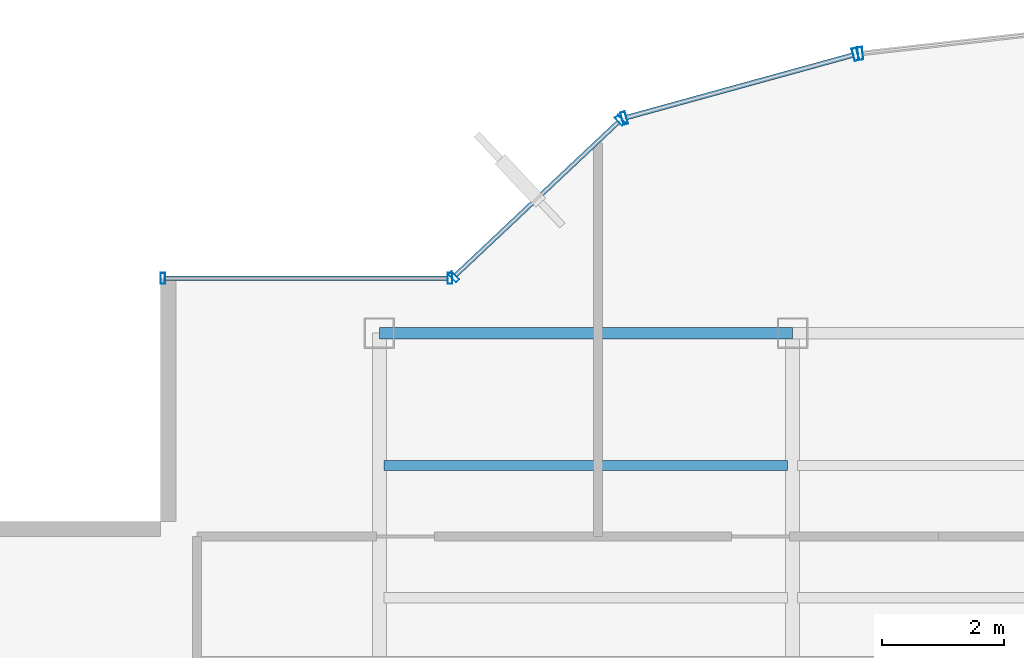
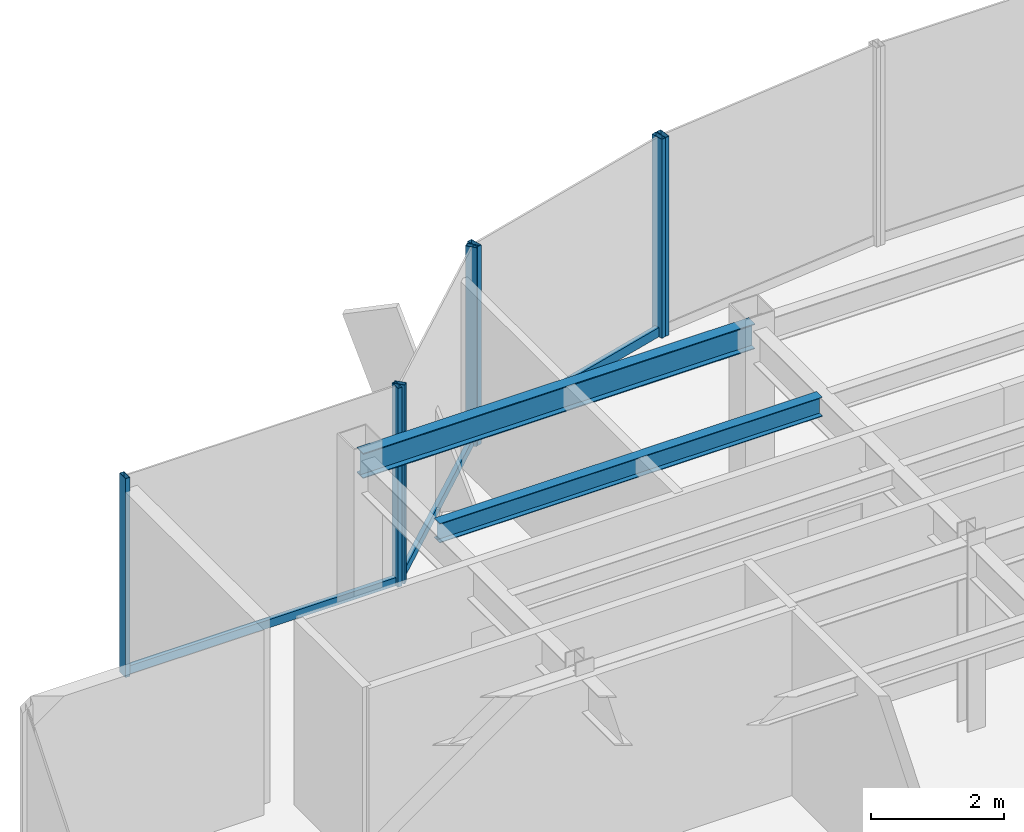
# One storey, part 12 of 22: 10 members, 2 beams, 4 elements without a shape of their own.
"""IFC4 building model written with IfcOpenShell, lengths in metres."""

import ifcopenshell
import ifcopenshell.guid

model = None  # the IFC model being written
_history = None  # IfcOwnerHistory: only IFC2X3 demands one
_inside = {}  # id of a spatial element -> (the spatial element, [elements in it])
_under = {}  # id of a project, library or spatial element -> (it, [spatial elements below it])
_declared = {}  # id of a project -> (the project, [libraries it declares])
_typed = {}  # id of a type object -> (the type object, [elements of that type])
_made_of = {}  # id of a material, layer set ... -> (it, [elements and type objects made of it])


def new_model(schema):
    """Start an empty IFC model of exactly this schema.

    Asked for "IFC4X3", IfcOpenShell would pick the latest addendum, in which some entities
    have other attributes; the version numbers below select the first issue.
    IFC2X3 requires an IfcOwnerHistory on every rooted entity: one is made here for all.
    """
    global model, _history
    if schema == "IFC4X3":
        model = ifcopenshell.file(schema_version=(4, 3, 0, 0))
    else:
        model = ifcopenshell.file(schema=schema)
    _inside.clear()
    _under.clear()
    _declared.clear()
    _typed.clear()
    _made_of.clear()
    _history = None
    if model.schema == "IFC2X3":
        org = make("IfcOrganization", Name="unknown")
        user = make(
            "IfcPersonAndOrganization",
            ThePerson=make("IfcPerson", FamilyName="unknown"),
            TheOrganization=org,
        )
        app = make(
            "IfcApplication",
            ApplicationDeveloper=org,
            Version="unknown",
            ApplicationFullName="unknown",
            ApplicationIdentifier="unknown",
        )
        _history = make(
            "IfcOwnerHistory",
            OwningUser=user,
            OwningApplication=app,
            ChangeAction="ADDED",
            CreationDate=0,
        )
    return model


def make(cls, **values):
    """One entity of the class cls with the attributes given. An attribute that is None is left unset."""
    return model.create_entity(
        cls, **{name: value for name, value in values.items() if value is not None}
    )


def rooted(cls, **values):
    """An entity with a GlobalId (a new one), such as an element, a storey or a relation."""
    return make(cls, GlobalId=ifcopenshell.guid.new(), OwnerHistory=_history, **values)


def si_unit(unit_type, name, prefix=None):
    """IfcSIUnit, for example si_unit("LENGTHUNIT", "METRE", prefix="MILLI")."""
    return make("IfcSIUnit", UnitType=unit_type, Prefix=prefix, Name=name)


def derived_unit(unit_type, elements):
    """IfcDerivedUnit: a product of units, each with its exponent."""
    return make(
        "IfcDerivedUnit",
        Elements=[
            make("IfcDerivedUnitElement", Unit=unit, Exponent=power)
            for unit, power in elements
        ],
        UnitType=unit_type,
    )


def assignment(units):
    """IfcUnitAssignment: the units of a project."""
    return None if units is None else make("IfcUnitAssignment", Units=units)


def point(xyz):
    """IfcCartesianPoint."""
    return None if xyz is None else make("IfcCartesianPoint", Coordinates=xyz)


def direction(xyz):
    """IfcDirection."""
    return None if xyz is None else make("IfcDirection", DirectionRatios=xyz)


def frame(location, z_axis=None, x_axis=None):
    """IfcAxis2Placement3D, a coordinate frame: its origin and axes. An axis left out is left unset."""
    return make(
        "IfcAxis2Placement3D",
        Location=point(location),
        Axis=direction(z_axis),
        RefDirection=direction(x_axis),
    )


def frame_2d(location, x_axis=None):
    """IfcAxis2Placement2D, a coordinate frame in the plane: its origin and x axis."""
    return make(
        "IfcAxis2Placement2D", Location=point(location), RefDirection=direction(x_axis)
    )


def origin():
    """The frame at (0, 0, 0) with its axes left unset."""
    return frame((0.0, 0.0, 0.0))


def origin_2d():
    """The frame at (0, 0) in the plane with its x axis left unset."""
    return frame_2d((0.0, 0.0))


def place(relative_to, where):
    """IfcLocalPlacement: puts the frame where relative to a parent placement (None: the world)."""
    return make(
        "IfcLocalPlacement", PlacementRelTo=relative_to, RelativePlacement=where
    )


def context(
    kind, dimensions, precision=None, world=None, true_north=None, identifier=None
):
    """IfcGeometricRepresentationContext, for example the 3D "Model" context."""
    return make(
        "IfcGeometricRepresentationContext",
        ContextIdentifier=identifier,
        ContextType=kind,
        CoordinateSpaceDimension=dimensions,
        Precision=precision,
        WorldCoordinateSystem=world,
        TrueNorth=true_north,
    )


def subcontext(parent, identifier, kind, view, scale=None):
    """IfcGeometricRepresentationSubContext, for example "Body" below "Model"."""
    return make(
        "IfcGeometricRepresentationSubContext",
        ContextIdentifier=identifier,
        ContextType=kind,
        ParentContext=parent,
        TargetScale=scale,
        TargetView=view,
    )


def project(units=None, contexts=None):
    """IfcProject with its units and contexts."""
    return rooted(
        "IfcProject",
        Name="project",
        RepresentationContexts=contexts,
        UnitsInContext=assignment(units),
    )


def spatial(cls, under=None, at=None, **own):
    """A site, building, storey or space (cls), placed at a placement, below another one or the project."""
    s = rooted(cls, ObjectPlacement=at, **own)
    if under is not None:
        _under.setdefault(under.id(), (under, []))[1].append(s)
    return s


def profile(cls, at=None, kind="AREA", **sizes):
    """A parametric profile (cls). Its sizes go by their IFC names, for example OverallWidth=200.0."""
    return make(cls, ProfileType=kind, Position=at, **sizes)


def hollow_rectangle(**sizes):
    """IfcRectangleHollowProfileDef."""
    return profile("IfcRectangleHollowProfileDef", **sizes)


def i_section(**sizes):
    """IfcIShapeProfileDef."""
    return profile("IfcIShapeProfileDef", **sizes)


def extrude(swept, where, along, depth):
    """IfcExtrudedAreaSolid: the profile swept, set in the frame where, extruded along a direction by depth."""
    return make(
        "IfcExtrudedAreaSolid",
        SweptArea=swept,
        Position=where,
        ExtrudedDirection=direction(along),
        Depth=depth,
    )


def shape(context_of_items, identifier, shape_type, items):
    """IfcShapeRepresentation: the items that make up one representation, for example the "Body"."""
    return make(
        "IfcShapeRepresentation",
        ContextOfItems=context_of_items,
        RepresentationIdentifier=identifier,
        RepresentationType=shape_type,
        Items=items,
    )


def source(mapping_origin, context_of_items, identifier, shape_type, items):
    """IfcRepresentationMap: a shape defined once, which mapped items show again and again."""
    return make(
        "IfcRepresentationMap",
        MappingOrigin=mapping_origin,
        MappedRepresentation=shape(context_of_items, identifier, shape_type, items),
    )


def transform(
    local_origin,
    x_axis=None,
    y_axis=None,
    z_axis=None,
    scale=None,
    scale2=None,
    scale3=None,
    uniform=True,
):
    """IfcCartesianTransformationOperator3D, or its non-uniform kind. x_axis, y_axis, z_axis: its Axis1, 2, 3."""
    if uniform:
        return make(
            "IfcCartesianTransformationOperator3D",
            Axis1=direction(x_axis),
            Axis2=direction(y_axis),
            LocalOrigin=point(local_origin),
            Scale=scale,
            Axis3=direction(z_axis),
        )
    return make(
        "IfcCartesianTransformationOperator3DnonUniform",
        Axis1=direction(x_axis),
        Axis2=direction(y_axis),
        LocalOrigin=point(local_origin),
        Scale=scale,
        Axis3=direction(z_axis),
        Scale2=scale2,
        Scale3=scale3,
    )


def mapped(mapping_source, mapping_target):
    """IfcMappedItem: shows the shape of a source again, moved by a transform."""
    return make(
        "IfcMappedItem", MappingSource=mapping_source, MappingTarget=mapping_target
    )


def material(Name=None, Category=None):
    """IfcMaterial."""
    return make("IfcMaterial", Name=Name, Category=Category)


def material_profile(
    of_material, cross_section, Name=None, Category=None, Priority=None
):
    """IfcMaterialProfile: a cross section and its material."""
    return make(
        "IfcMaterialProfile",
        Name=Name,
        Material=of_material,
        Profile=cross_section,
        Priority=Priority,
        Category=Category,
    )


def profile_set(profiles, Name=None, composite=None):
    """IfcMaterialProfileSet."""
    return make(
        "IfcMaterialProfileSet",
        Name=Name,
        MaterialProfiles=profiles,
        CompositeProfile=composite,
    )


def made_of(thing, what):
    """Note that an element or type object is made of a material, layer set ...; save() writes the relation."""
    if what is not None:
        _made_of.setdefault(what.id(), (what, []))[1].append(thing)
    return thing


def type_object(cls, material=None, **own):
    """A type object (cls), such as IfcWallType, which elements share."""
    return made_of(rooted(cls, **own), material)


def element(
    cls,
    number,
    at=None,
    inside=None,
    cuts=None,
    type_object=None,
    material=None,
    context=None,
    identifier="Body",
    shape_type=None,
    held_by="IfcProductDefinitionShape",
    body=None,
    shapes=None,
    **own,
):
    """One element of the class cls, such as IfcWall. Its Tag is "e" and its number.

    at: its placement. inside: the storey or other place that contains it. cuts: it is an
    opening in that element (IfcRelVoidsElement). A single representation is given by context,
    identifier, shape_type and body (its items); several are given by shapes. held_by: the class
    of the entity that holds the representations. save() writes the other relations.
    """
    e = rooted(cls, Tag="e%d" % number, ObjectPlacement=at, **own)
    if body is not None:
        shapes = [shape(context, identifier, shape_type, body)]
    if shapes is not None:
        e.Representation = make(held_by, Representations=shapes)
    if inside is not None:
        _inside.setdefault(inside.id(), (inside, []))[1].append(e)
    if cuts is not None:
        rooted(
            "IfcRelVoidsElement", RelatingBuildingElement=cuts, RelatedOpeningElement=e
        )
    if type_object is not None:
        _typed.setdefault(type_object.id(), (type_object, []))[1].append(e)
    return made_of(e, material)


def aggregate(whole, parts):
    """IfcRelAggregates: a whole, such as a stair, and the parts it consists of."""
    return rooted("IfcRelAggregates", RelatingObject=whole, RelatedObjects=parts)


def save(model, path):
    """Write the relations noted so far, then the file.

    IfcRelAggregates (storeys below a building ...), IfcRelContainedInSpatialStructure (elements
    in a storey), IfcRelDefinesByType, IfcRelAssociatesMaterial and IfcRelDeclares: one each for
    every whole, place, type object, material and project.
    """
    for whole, parts in _under.values():
        aggregate(whole, parts)
    for where, things in _inside.values():
        rooted(
            "IfcRelContainedInSpatialStructure",
            RelatedElements=things,
            RelatingStructure=where,
        )
    for kind, things in _typed.values():
        rooted("IfcRelDefinesByType", RelatedObjects=things, RelatingType=kind)
    for what, things in _made_of.values():
        rooted("IfcRelAssociatesMaterial", RelatedObjects=things, RelatingMaterial=what)
    for by, libraries in _declared.values():
        rooted("IfcRelDeclares", RelatingContext=by, RelatedDefinitions=libraries)
    model.write(path)


model = new_model("IFC4")

# Units and contexts
model_context = context("Model", 3, precision=1e-05, world=origin(), true_north=direction((0.0, 1.0)))
body_context = subcontext(model_context, "Body", "Model", "MODEL_VIEW")
ifc_project = project(units=[si_unit("LENGTHUNIT", "METRE"), si_unit("AREAUNIT", "SQUARE_METRE"), si_unit("VOLUMEUNIT", "CUBIC_METRE"), si_unit("PLANEANGLEUNIT", "RADIAN"), si_unit("MASSUNIT", "GRAM", prefix="KILO"), derived_unit("THERMALTRANSMITTANCEUNIT", [(si_unit("POWERUNIT", "WATT"), 1), (si_unit("LENGTHUNIT", "METRE"), -2), (si_unit("THERMODYNAMICTEMPERATUREUNIT", "KELVIN"), -1)])], contexts=[model_context])

# Site, building, storey
site_placement = place(None, origin())
site = spatial("IfcSite", under=ifc_project, at=site_placement, CompositionType="ELEMENT")
building_placement = place(site_placement, origin())
building = spatial("IfcBuilding", under=site, at=building_placement, Name="Skarnbrae Concourse Arena and Tower", CompositionType="ELEMENT")
storey_placement = place(building_placement, frame((0.0, 0.0, 214.14990234375)))
storey = spatial("IfcBuildingStorey", under=building, at=storey_placement, Name="L55", CompositionType="ELEMENT", Elevation=214.14990234375)

# Beams
ifc_material_1 = material(Name="Steel CSA G40.21 350W", Category="steel")
ifc_material_profile_1 = material_profile(ifc_material_1, i_section(OverallWidth=0.19091796875, OverallDepth=0.4599609375, WebThickness=0.010009765625, FlangeThickness=0.01611328125, at=origin_2d()), Name="W460X82")
ifc_profile_set_1 = profile_set([ifc_material_profile_1], Name="Steel CSA G40.21 350W")
beam_type_1 = type_object("IfcBeamType", Name="BM-SPAN-W460X82", PredefinedType="SPANDREL", material=ifc_profile_set_1)
shared_shape_1 = source(origin(), body_context, "Body", "SweptSolid", [
    extrude(i_section(OverallWidth=0.19091796875, OverallDepth=0.4599609375, WebThickness=0.010009765625, FlangeThickness=0.01611328125, at=origin_2d()), origin(), (0.0, 0.0, 1.0), 6.7998046875),
])
beam_1_placement = place(storey_placement, frame((7.60009765625, 34.39990234375, 3.170166015625), z_axis=(1.0, 0.0, 0.0), x_axis=(0.0, 1.0, 0.0)))
element("IfcBeam", 1, at=beam_1_placement, inside=storey, type_object=beam_type_1, Name="L55 Perimeter spandrel Y34.4-1", PredefinedType="SPANDREL", context=body_context, shape_type="MappedRepresentation", body=[
    mapped(shared_shape_1, transform((0.0, 0.0, 0.0))),
])
ifc_material_profile_2 = material_profile(ifc_material_1, i_section(OverallWidth=0.1708984375, OverallDepth=0.35498046875, WebThickness=0.007080078125, FlangeThickness=0.01171875, at=origin_2d()), Name="W360X51")
ifc_profile_set_2 = profile_set([ifc_material_profile_2], Name="Steel CSA G40.21 350W")
beam_type_2 = type_object("IfcBeamType", Name="BM-JOIST-W360X51", PredefinedType="JOIST", material=ifc_profile_set_2)
shared_shape_2 = source(origin(), body_context, "Body", "SweptSolid", [
    extrude(i_section(OverallWidth=0.1708984375, OverallDepth=0.35498046875, WebThickness=0.007080078125, FlangeThickness=0.01171875, at=origin_2d()), origin(), (0.0, 0.0, 1.0), 6.64013671875),
])
beam_2_placement = place(storey_placement, frame((7.679931640625, 32.221923828125, 3.22265625), z_axis=(1.0, 0.0, 0.0), x_axis=(0.0, 1.0, 0.0)))
element("IfcBeam", 2, at=beam_2_placement, inside=storey, type_object=beam_type_2, Name="L55 Secondary floor joist 3.2.1", PredefinedType="JOIST", context=body_context, shape_type="MappedRepresentation", body=[
    mapped(shared_shape_2, transform((0.0, 0.0, 0.0))),
])

# Curtain wall, member
ifc_material_2 = material(Name="Bronze anodised aluminium 6063-T6", Category="aluminium")
curtain_wall_type_1 = type_object("IfcCurtainWallType", Name="CW-SYS-03-PORTAL", PredefinedType="USERDEFINED", material=ifc_material_2)
curtain_wall_1_placement = place(storey_placement, origin())
curtain_wall_1 = element("IfcCurtainWall", 3, at=curtain_wall_1_placement, inside=storey, type_object=curtain_wall_type_1, Name="L55 Unitised curtain wall CW-L55-E12", ObjectType="UNITISED CURTAIN WALL", PredefinedType="USERDEFINED")
ifc_material_profile_3 = material_profile(ifc_material_2, hollow_rectangle(XDim=0.080078125, YDim=0.2099609375, WallThickness=0.00439453125, at=origin_2d()), Name="ALU-MULL-80X210")
ifc_profile_set_3 = profile_set([ifc_material_profile_3], Name="Bronze anodised aluminium 6063-T6")
member_type_1 = type_object("IfcMemberType", Name="CWM-CW-03", PredefinedType="MULLION", material=ifc_profile_set_3)
shared_shape_3 = source(origin(), body_context, "Body", "SweptSolid", [
    extrude(hollow_rectangle(XDim=0.080078125, YDim=0.2099609375, WallThickness=0.00439453125, at=origin_2d()), origin(), (0.0, 0.0, 1.0), 3.650146484375),
])
member_1_placement = place(storey_placement, frame((15.513916015625, 39.001708984375, 0.0), z_axis=(0.0, 0.0, 1.0), x_axis=(-0.993768891873, -0.111460259941, 0.0)))
member_1 = element("IfcMember", 4, at=member_1_placement, type_object=member_type_1, Name="CW-L55-E12 Mullion 2", PredefinedType="MULLION", context=body_context, shape_type="MappedRepresentation", body=[
    mapped(shared_shape_3, transform((0.0, 0.0, 0.0))),
])
aggregate(curtain_wall_1, [member_1])

# Curtain wall, members
curtain_wall_2_placement = place(storey_placement, origin())
curtain_wall_2 = element("IfcCurtainWall", 5, at=curtain_wall_2_placement, inside=storey, type_object=curtain_wall_type_1, Name="L55 Unitised curtain wall CW-L55-E13", ObjectType="UNITISED CURTAIN WALL", PredefinedType="USERDEFINED")
member_2_placement = place(storey_placement, frame((15.435546875, 38.986572265625, 0.0), z_axis=(0.0, 0.0, 1.0), x_axis=(-0.964057388766, -0.265694093207, 0.0)))
member_2 = element("IfcMember", 6, at=member_2_placement, type_object=member_type_1, Name="CW-L55-E13 Mullion 1", PredefinedType="MULLION", context=body_context, shape_type="MappedRepresentation", body=[
    mapped(shared_shape_3, transform((0.0, 0.0, 0.0))),
])
member_3_placement = place(storey_placement, frame((11.62890625, 37.937255859375, 0.0), z_axis=(0.0, 0.0, 1.0), x_axis=(-0.964057388766, -0.265694093207, 0.0)))
member_3 = element("IfcMember", 7, at=member_3_placement, type_object=member_type_1, Name="CW-L55-E13 Mullion 2", PredefinedType="MULLION", context=body_context, shape_type="MappedRepresentation", body=[
    mapped(shared_shape_3, transform((0.0, 0.0, 0.0))),
])

# Curtain wall, member
curtain_wall_type_2 = type_object("IfcCurtainWallType", Name="CW-SYS-05-HIGHZONE", PredefinedType="USERDEFINED", material=ifc_material_2)
curtain_wall_3_placement = place(storey_placement, origin())
curtain_wall_3 = element("IfcCurtainWall", 8, at=curtain_wall_3_placement, inside=storey, type_object=curtain_wall_type_2, Name="L55 Unitised curtain wall CW-L55-E15", ObjectType="UNITISED CURTAIN WALL", PredefinedType="USERDEFINED")
ifc_material_profile_4 = material_profile(ifc_material_2, hollow_rectangle(XDim=0.074951171875, YDim=0.14990234375, WallThickness=0.00390625, at=origin_2d()), Name="ALU-TRAN-75X150")
ifc_profile_set_4 = profile_set([ifc_material_profile_4], Name="Bronze anodised aluminium 6063-T6")
member_type_2 = type_object("IfcMemberType", Name="CWT-CW-05", PredefinedType="USERDEFINED", material=ifc_profile_set_4)
shared_shape_4 = source(origin(), body_context, "Body", "SweptSolid", [
    extrude(hollow_rectangle(XDim=0.074951171875, YDim=0.14990234375, WallThickness=0.00390625, at=origin_2d()), origin(), (0.0, 0.0, 1.0), 4.650146484375),
])
member_4_placement = place(storey_placement, frame((8.72509765625, 35.300048828125, 0.0751953125), z_axis=(-1.0, 0.0, 0.0), x_axis=(0.0, -1.0, 0.0)))
member_4 = element("IfcMember", 9, at=member_4_placement, type_object=member_type_2, Name="CW-L55-E15 Transom 1", ObjectType="TRANSOM", PredefinedType="USERDEFINED", context=body_context, shape_type="MappedRepresentation", body=[
    mapped(shared_shape_4, transform((0.0, 0.0, 0.0))),
])

# Curtain wall, members
curtain_wall_4_placement = place(storey_placement, origin())
curtain_wall_4 = element("IfcCurtainWall", 10, at=curtain_wall_4_placement, inside=storey, type_object=curtain_wall_type_2, Name="L55 Unitised curtain wall CW-L55-E14", ObjectType="UNITISED CURTAIN WALL", PredefinedType="USERDEFINED")
shared_shape_5 = source(origin(), body_context, "Body", "SweptSolid", [
    extrude(hollow_rectangle(XDim=0.074951171875, YDim=0.14990234375, WallThickness=0.00390625, at=origin_2d()), origin(), (0.0, 0.0, 1.0), 3.68212890625),
])
member_5_placement = place(storey_placement, frame((11.53564453125, 37.875244140625, 0.0751953125), z_axis=(-0.728133808476, -0.685435012933, 0.0), x_axis=(0.685435012933, -0.728133808476, 0.0)))
member_5 = element("IfcMember", 11, at=member_5_placement, type_object=member_type_2, Name="CW-L55-E14 Transom 1", ObjectType="TRANSOM", PredefinedType="USERDEFINED", context=body_context, shape_type="MappedRepresentation", body=[
    mapped(shared_shape_5, transform((0.0, 0.0, 0.0))),
])
ifc_material_profile_5 = material_profile(ifc_material_2, hollow_rectangle(XDim=0.074951171875, YDim=0.179931640625, WallThickness=0.00390625, at=origin_2d()), Name="ALU-MULL-75X180")
ifc_profile_set_5 = profile_set([ifc_material_profile_5], Name="Bronze anodised aluminium 6063-T6")
member_type_3 = type_object("IfcMemberType", Name="CWM-CW-05", PredefinedType="MULLION", material=ifc_profile_set_5)
shared_shape_6 = source(origin(), body_context, "Body", "SweptSolid", [
    extrude(hollow_rectangle(XDim=0.074951171875, YDim=0.179931640625, WallThickness=0.00390625, at=origin_2d()), origin(), (0.0, 0.0, 1.0), 3.650146484375),
])
member_6_placement = place(storey_placement, frame((11.56298828125, 37.90087890625, 0.0), z_axis=(0.0, 0.0, 1.0), x_axis=(-0.728130555214, -0.685438468838, 0.0)))
member_6 = element("IfcMember", 12, at=member_6_placement, type_object=member_type_3, Name="CW-L55-E14 Mullion 1", PredefinedType="MULLION", context=body_context, shape_type="MappedRepresentation", body=[
    mapped(shared_shape_6, transform((0.0, 0.0, 0.0))),
])
member_7_placement = place(storey_placement, frame((8.827392578125, 35.32568359375, 0.0), z_axis=(0.0, 0.0, 1.0), x_axis=(-0.728130555214, -0.685438468838, 0.0)))
member_7 = element("IfcMember", 13, at=member_7_placement, type_object=member_type_3, Name="CW-L55-E14 Mullion 2", PredefinedType="MULLION", context=body_context, shape_type="MappedRepresentation", body=[
    mapped(shared_shape_6, transform((0.0, 0.0, 0.0))),
])
aggregate(curtain_wall_4, [member_6, member_7, member_5])

# Member
member_8_placement = place(storey_placement, frame((8.762451171875, 35.300048828125, 0.0), z_axis=(0.0, 0.0, 1.0), x_axis=(-1.0, 0.0, 0.0)))
member_8 = element("IfcMember", 14, at=member_8_placement, type_object=member_type_3, Name="CW-L55-E15 Mullion 1", PredefinedType="MULLION", context=body_context, shape_type="MappedRepresentation", body=[
    mapped(shared_shape_6, transform((0.0, 0.0, 0.0))),
])

member_9_placement = place(storey_placement, frame((4.03759765625, 35.300048828125, 0.0), z_axis=(0.0, 0.0, 1.0), x_axis=(-1.0, 0.0, 0.0)))
member_9 = element("IfcMember", 15, at=member_9_placement, type_object=member_type_3, Name="CW-L55-E15 Mullion 2", PredefinedType="MULLION", context=body_context, shape_type="MappedRepresentation", body=[
    mapped(shared_shape_6, transform((0.0, 0.0, 0.0))),
])

aggregate(curtain_wall_3, [member_8, member_9, member_4])

ifc_material_profile_6 = material_profile(ifc_material_2, hollow_rectangle(XDim=0.080078125, YDim=0.169921875, WallThickness=0.00439453125, at=origin_2d()), Name="ALU-TRAN-80X170")
ifc_profile_set_6 = profile_set([ifc_material_profile_6], Name="Bronze anodised aluminium 6063-T6")
member_type_4 = type_object("IfcMemberType", Name="CWT-CW-03", PredefinedType="USERDEFINED", material=ifc_profile_set_6)
shared_shape_7 = source(origin(), body_context, "Body", "SweptSolid", [
    extrude(hollow_rectangle(XDim=0.080078125, YDim=0.169921875, WallThickness=0.00439453125, at=origin_2d()), origin(), (0.0, 0.0, 1.0), 3.86865234375),
])
member_10_placement = place(storey_placement, frame((15.397216796875, 38.975830078125, 0.085205078125), z_axis=(-0.964062872218, -0.265674195983, 0.0), x_axis=(0.265674195983, -0.964062872218, 0.0)))
member_10 = element("IfcMember", 16, at=member_10_placement, type_object=member_type_4, Name="CW-L55-E13 Transom 1", ObjectType="TRANSOM", PredefinedType="USERDEFINED", context=body_context, shape_type="MappedRepresentation", body=[
    mapped(shared_shape_7, transform((0.0, 0.0, 0.0))),
])

aggregate(curtain_wall_2, [member_2, member_3, member_10])

save(model, "model.ifc")
